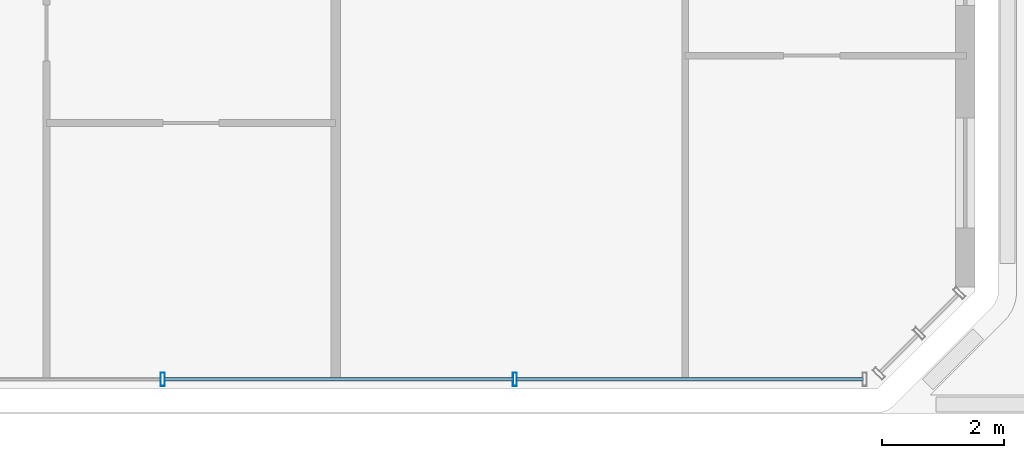
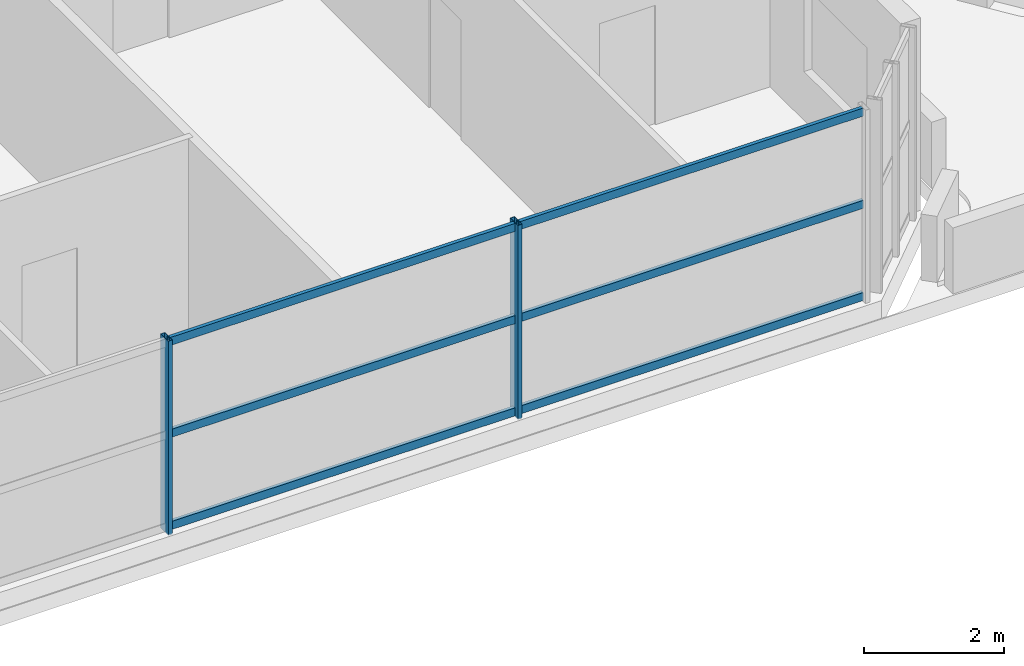
# One storey, part 7 of 28: 8 members, 1 element without a shape of its own.
"""IFC4 building model written with IfcOpenShell, lengths in metres."""

from ifc_helpers import new_model, si_unit, direction, frame, origin, origin_2d, place, context, subcontext, project, spatial, hollow_rectangle, extrude, source, transform, mapped, material, material_profile, profile_set, type_object, element, aggregate, save


model = new_model("IFC4")

# Units and contexts
model_context = context("Model", 3, precision=1e-05, world=origin(), true_north=direction((0.0, 1.0)))
body_context = subcontext(model_context, "Body", "Model", "MODEL_VIEW")
ifc_project = project(units=[si_unit("LENGTHUNIT", "METRE"), si_unit("AREAUNIT", "SQUARE_METRE"), si_unit("VOLUMEUNIT", "CUBIC_METRE"), si_unit("PLANEANGLEUNIT", "RADIAN"), si_unit("MASSUNIT", "GRAM", prefix="KILO")], contexts=[model_context])

# Site, building, storey
site_placement = place(None, origin())
site = spatial("IfcSite", under=ifc_project, at=site_placement, CompositionType="ELEMENT")
building_placement = place(site_placement, origin())
building = spatial("IfcBuilding", under=site, at=building_placement, Name="Tlacorven Tower", CompositionType="ELEMENT")
storey_placement = place(building_placement, frame((0.0, 0.0, 24.0)))
storey = spatial("IfcBuildingStorey", under=building, at=storey_placement, Name="L05", CompositionType="ELEMENT", Elevation=24.0)

# Curtain wall, members
ifc_material_1 = material(Name="Dark solar low-E double glazing in aluminium frame", Category="aluminium")
curtain_wall_type = type_object("IfcCurtainWallType", Name="CW-TWR-LOW", PredefinedType="USERDEFINED", material=ifc_material_1)
curtain_wall_placement = place(storey_placement, origin())
curtain_wall = element("IfcCurtainWall", 1, at=curtain_wall_placement, inside=storey, type_object=curtain_wall_type, Name="L05 CW-TWR-LOW Curtain Wall 22", ObjectType="UNITISED CURTAIN WALL", PredefinedType="USERDEFINED")
ifc_material_2 = material(Name="Aluminium 6063-T6 anodised", Category="aluminium")
ifc_material_profile_1 = material_profile(ifc_material_2, hollow_rectangle(XDim=0.070068359375, YDim=0.219970703125, WallThickness=0.0048828125, at=origin_2d()), Name="ALU MULLION 70X220")
ifc_profile_set_1 = profile_set([ifc_material_profile_1], Name="Aluminium 6063-T6 anodised")
member_type_1 = type_object("IfcMemberType", Name="CWM-01", PredefinedType="MULLION", material=ifc_profile_set_1)
shared_shape_1 = source(origin(), body_context, "Body", "SweptSolid", [
    extrude(hollow_rectangle(XDim=0.070068359375, YDim=0.219970703125, WallThickness=0.0048828125, at=origin_2d()), origin(), (0.0, 0.0, 1.0), 3.380126953125),
])
member_1_placement = place(storey_placement, frame((44.8779296875, 1.9599609375, -0.02001953125), z_axis=(0.0, 0.0, 1.0), x_axis=(-1.0, 0.0, 0.0)))
member_1 = element("IfcMember", 2, at=member_1_placement, type_object=member_type_1, Name="CW-L05-022 Mullion 2", PredefinedType="MULLION", context=body_context, shape_type="MappedRepresentation", body=[
    mapped(shared_shape_1, transform((0.0, 0.0, 0.0), scale=1.0)),
])
member_2_placement = place(storey_placement, frame((39.1220703125, 1.9599609375, -0.02001953125), z_axis=(0.0, 0.0, 1.0), x_axis=(-1.0, 0.0, 0.0)))
member_2 = element("IfcMember", 3, at=member_2_placement, type_object=member_type_1, Name="CW-L05-022 Mullion 3", PredefinedType="MULLION", context=body_context, shape_type="MappedRepresentation", body=[
    mapped(shared_shape_1, transform((0.0, 0.0, 0.0), scale=1.0)),
])
ifc_material_profile_2 = material_profile(ifc_material_2, hollow_rectangle(XDim=0.06005859375, YDim=0.139892578125, WallThickness=0.00390625, at=origin_2d()), Name="ALU TRANSOM 60X140")
ifc_profile_set_2 = profile_set([ifc_material_profile_2], Name="Aluminium 6063-T6 anodised")
member_type_2 = type_object("IfcMemberType", Name="CWT-02", PredefinedType="USERDEFINED", material=ifc_profile_set_2)
shared_shape_2 = source(origin(), body_context, "Body", "SweptSolid", [
    extrude(hollow_rectangle(XDim=0.06005859375, YDim=0.139892578125, WallThickness=0.00390625, at=origin_2d()), origin(), (0.0, 0.0, 1.0), 5.6748046875),
])
member_3_placement = place(storey_placement, frame((50.57568359375, 1.9599609375, 0.070068359375), z_axis=(-1.0, 0.0, 0.0), x_axis=(0.0, -1.0, 0.0)))
member_3 = element("IfcMember", 4, at=member_3_placement, type_object=member_type_2, Name="CW-L05-022 Transom 1", ObjectType="TRANSOM", PredefinedType="USERDEFINED", context=body_context, shape_type="MappedRepresentation", body=[
    mapped(shared_shape_2, transform((0.0, 0.0, 0.0), scale=1.0)),
])
member_4_placement = place(storey_placement, frame((50.57568359375, 1.9599609375, 1.675048828125), z_axis=(-1.0, 0.0, 0.0), x_axis=(0.0, -1.0, 0.0)))
member_4 = element("IfcMember", 5, at=member_4_placement, type_object=member_type_2, Name="CW-L05-022 Transom 2", ObjectType="TRANSOM", PredefinedType="USERDEFINED", context=body_context, shape_type="MappedRepresentation", body=[
    mapped(shared_shape_2, transform((0.0, 0.0, 0.0), scale=1.0)),
])
member_5_placement = place(storey_placement, frame((50.57568359375, 1.9599609375, 3.280029296875), z_axis=(-1.0, 0.0, 0.0), x_axis=(0.0, -1.0, 0.0)))
member_5 = element("IfcMember", 6, at=member_5_placement, type_object=member_type_2, Name="CW-L05-022 Transom 3", ObjectType="TRANSOM", PredefinedType="USERDEFINED", context=body_context, shape_type="MappedRepresentation", body=[
    mapped(shared_shape_2, transform((0.0, 0.0, 0.0), scale=1.0)),
])
shared_shape_3 = source(origin(), body_context, "Body", "SweptSolid", [
    extrude(hollow_rectangle(XDim=0.06005859375, YDim=0.139892578125, WallThickness=0.00390625, at=origin_2d()), origin(), (0.0, 0.0, 1.0), 5.7099609375),
])
member_6_placement = place(storey_placement, frame((44.85498046875, 1.9599609375, 0.070068359375), z_axis=(-1.0, 0.0, 0.0), x_axis=(0.0, -1.0, 0.0)))
member_6 = element("IfcMember", 7, at=member_6_placement, type_object=member_type_2, Name="CW-L05-022 Transom 4", ObjectType="TRANSOM", PredefinedType="USERDEFINED", context=body_context, shape_type="MappedRepresentation", body=[
    mapped(shared_shape_3, transform((0.0, 0.0, 0.0), scale=1.0)),
])
member_7_placement = place(storey_placement, frame((44.85498046875, 1.9599609375, 1.675048828125), z_axis=(-1.0, 0.0, 0.0), x_axis=(0.0, -1.0, 0.0)))
member_7 = element("IfcMember", 8, at=member_7_placement, type_object=member_type_2, Name="CW-L05-022 Transom 5", ObjectType="TRANSOM", PredefinedType="USERDEFINED", context=body_context, shape_type="MappedRepresentation", body=[
    mapped(shared_shape_3, transform((0.0, 0.0, 0.0), scale=1.0)),
])
member_8_placement = place(storey_placement, frame((44.85498046875, 1.9599609375, 3.280029296875), z_axis=(-1.0, 0.0, 0.0), x_axis=(0.0, -1.0, 0.0)))
member_8 = element("IfcMember", 9, at=member_8_placement, type_object=member_type_2, Name="CW-L05-022 Transom 6", ObjectType="TRANSOM", PredefinedType="USERDEFINED", context=body_context, shape_type="MappedRepresentation", body=[
    mapped(shared_shape_3, transform((0.0, 0.0, 0.0), scale=1.0)),
])
aggregate(curtain_wall, [member_1, member_2, member_3, member_4, member_5, member_6, member_7, member_8])

save(model, "model.ifc")
